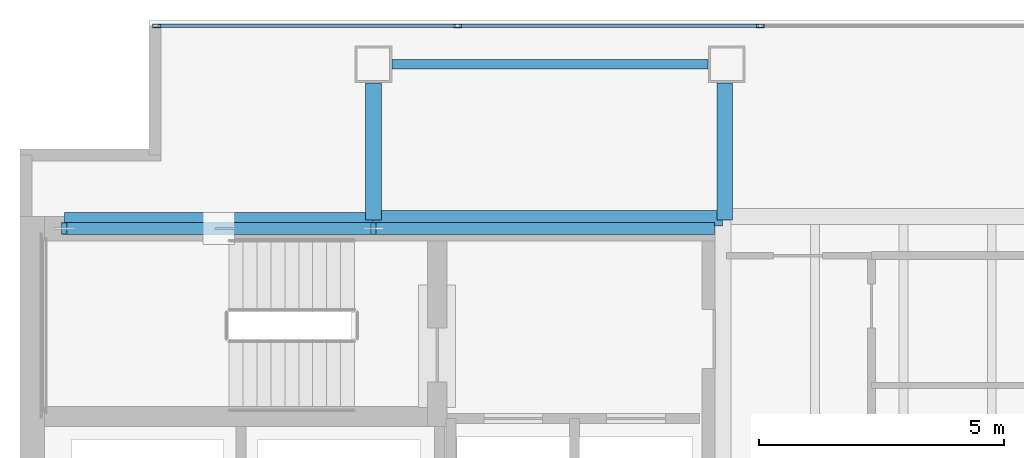
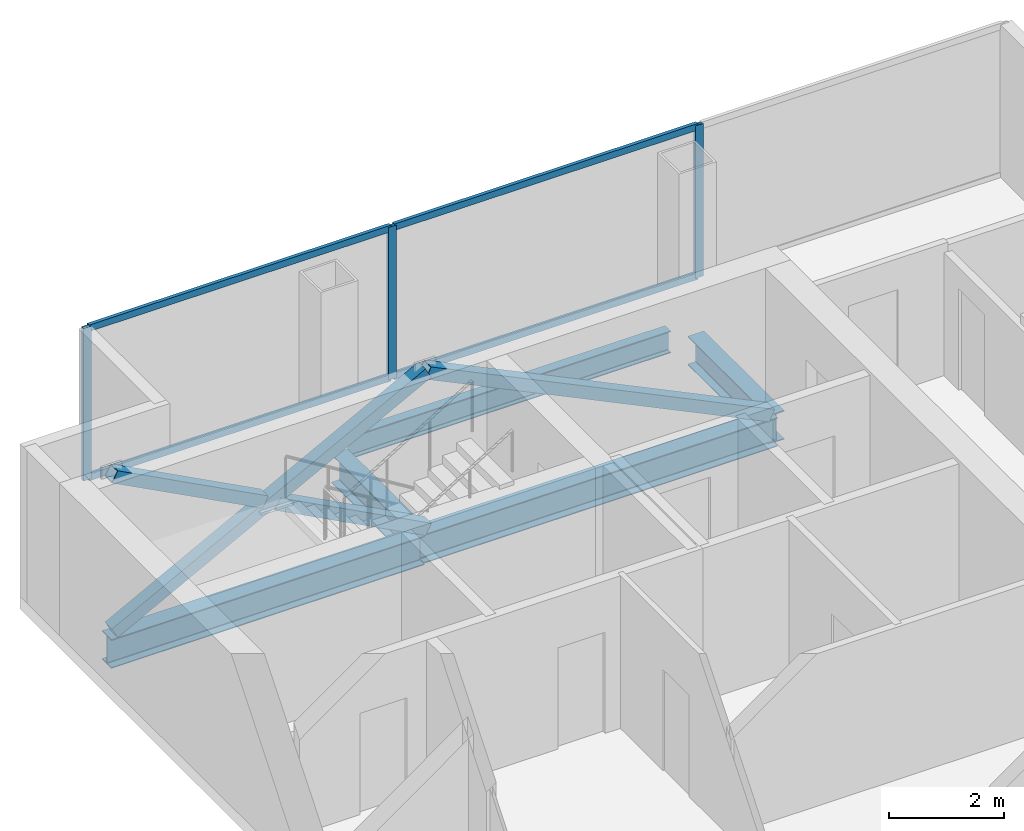
# One storey, part 17 of 23: 11 members, 5 beams, 1 element without a shape of its own.
"""IFC4 building model written with IfcOpenShell, lengths in metres."""

from ifc_helpers import new_model, si_unit, direction, frame, origin, origin_2d, place, context, subcontext, project, spatial, hollow_rectangle, i_section, extrude, material, material_profile, profile_set, type_object, element, aggregate, save


model = new_model("IFC4")

# Units and contexts
model_context = context("Model", 3, precision=1e-05, world=origin(), true_north=direction((0.0, 1.0)))
body_context = subcontext(model_context, "Body", "Model", "MODEL_VIEW")
ifc_project = project(units=[si_unit("LENGTHUNIT", "METRE"), si_unit("AREAUNIT", "SQUARE_METRE"), si_unit("VOLUMEUNIT", "CUBIC_METRE"), si_unit("PLANEANGLEUNIT", "RADIAN"), si_unit("MASSUNIT", "GRAM", prefix="KILO")], contexts=[model_context])

# Site, building, storey
site_placement = place(None, origin())
site = spatial("IfcSite", under=ifc_project, at=site_placement, CompositionType="ELEMENT")
building_placement = place(site_placement, origin())
building = spatial("IfcBuilding", under=site, at=building_placement, Name="Cobrela Telecom Tower", CompositionType="ELEMENT")
storey_placement = place(building_placement, frame((0.0, 0.0, 211.75)))
storey = spatial("IfcBuildingStorey", under=building, at=storey_placement, Name="L54", CompositionType="ELEMENT", Elevation=211.75)

# Beams
ifc_material_1 = material(Name="Steel ASTM A992 Grade 50", Category="steel")
ifc_material_profile_1 = material_profile(ifc_material_1, i_section(OverallWidth=0.324951171875, OverallDepth=0.612060546875, WebThickness=0.0126953125, FlangeThickness=0.01904296875, FilletRadius=0.014892578125, at=origin_2d()), Name="W24X104")
ifc_profile_set_1 = profile_set([ifc_material_profile_1], Name="Steel ASTM A992 Grade 50")
beam_type_1 = type_object("IfcBeamType", Name="BM-GIRD-07", PredefinedType="USERDEFINED", material=ifc_profile_set_1)
beam_1_placement = place(storey_placement, frame((0.905029296875, 35.919921875, -0.56591796875), z_axis=(1.0, 0.0, 0.0), x_axis=(0.0, 1.0, 0.0)))
element("IfcBeam", 1, at=beam_1_placement, inside=storey, type_object=beam_type_1, Name="L54 Primary Girder X20", ObjectType="GIRDER", PredefinedType="USERDEFINED", context=body_context, shape_type="SweptSolid", body=[
    extrude(i_section(OverallWidth=0.324951171875, OverallDepth=0.612060546875, WebThickness=0.0126953125, FlangeThickness=0.01904296875, FilletRadius=0.014892578125, at=origin_2d()), origin(), (0.0, 0.0, 1.0), 6.2900390625),
])
beam_2_placement = place(storey_placement, frame((7.205078125, 35.9599609375, -0.56591796875), z_axis=(1.0, 0.0, 0.0), x_axis=(0.0, 1.0, 0.0)))
element("IfcBeam", 2, at=beam_2_placement, inside=storey, type_object=beam_type_1, Name="L54 Primary Girder X21", ObjectType="GIRDER", PredefinedType="USERDEFINED", context=body_context, shape_type="SweptSolid", body=[
    extrude(i_section(OverallWidth=0.324951171875, OverallDepth=0.612060546875, WebThickness=0.0126953125, FlangeThickness=0.01904296875, FilletRadius=0.014892578125, at=origin_2d()), origin(), (0.0, 0.0, 1.0), 7.10986328125),
])
for number, where, z_axis, x_axis, name in (
    (3, (7.199951171875, 35.925048828125, -0.56591796875), (0.0, 1.0, 0.0), (-1.0, 0.0, 0.0), "L54 Primary Girder Y25"),
    (4, (14.360107421875, 35.925048828125, -0.56591796875), (0.0, 1.0, 0.0), (-1.0, 0.0, 0.0), "L54 Primary Girder Y31"),
):
    element("IfcBeam", number, at=place(storey_placement, frame(where, z_axis=z_axis, x_axis=x_axis)), inside=storey, type_object=beam_type_1, Name=name, ObjectType="GIRDER", PredefinedType="USERDEFINED", context=body_context, shape_type="SweptSolid", body=[
        extrude(i_section(OverallWidth=0.324951171875, OverallDepth=0.612060546875, WebThickness=0.0126953125, FlangeThickness=0.01904296875, FilletRadius=0.014892578125, at=origin_2d()), origin(), (0.0, 0.0, 1.0), 2.794921875),
    ])
ifc_material_profile_2 = material_profile(ifc_material_1, i_section(OverallWidth=0.193115234375, OverallDepth=0.467041015625, WebThickness=0.011474609375, FlangeThickness=0.01904296875, FilletRadius=0.012939453125, at=origin_2d()), Name="W18X65")
ifc_profile_set_2 = profile_set([ifc_material_profile_2], Name="Steel ASTM A992 Grade 50")
beam_type_2 = type_object("IfcBeamType", Name="BM-SPAND-05", PredefinedType="SPANDREL", material=ifc_profile_set_2)
beam_3_placement = place(storey_placement, frame((7.580078125, 39.10009765625, -0.493408203125), z_axis=(1.0, 0.0, 0.0), x_axis=(0.0, 1.0, 0.0)))
element("IfcBeam", 5, at=beam_3_placement, inside=storey, type_object=beam_type_2, Name="L54 Perimeter Spandrel X23", PredefinedType="SPANDREL", context=body_context, shape_type="SweptSolid", body=[
    extrude(i_section(OverallWidth=0.193115234375, OverallDepth=0.467041015625, WebThickness=0.011474609375, FlangeThickness=0.01904296875, FilletRadius=0.012939453125, at=origin_2d()), origin(), (0.0, 0.0, 1.0), 6.43994140625),
])

# Curtain wall, members
ifc_material_2 = material(Name="Anodized Bronze Aluminium 6063-T6", Category="aluminium")
curtain_wall_type = type_object("IfcCurtainWallType", Name="CW-SYS-OFF-LO", PredefinedType="USERDEFINED", material=ifc_material_2)
curtain_wall_placement = place(storey_placement, origin())
curtain_wall = element("IfcCurtainWall", 6, at=curtain_wall_placement, inside=storey, type_object=curtain_wall_type, Name="L54 Unitised Bronze Curtain Wall 07", ObjectType="UNITISED CURTAIN WALL", PredefinedType="USERDEFINED")
ifc_material_profile_3 = material_profile(ifc_material_2, hollow_rectangle(XDim=0.070068359375, YDim=0.159912109375, WallThickness=0.00390625, at=origin_2d()), Name="ALU 70x160x4")
ifc_profile_set_3 = profile_set([ifc_material_profile_3], Name="Anodized Bronze Aluminium 6063-T6")
member_type_1 = type_object("IfcMemberType", Name="CW-SYS-OFF-LO-MUL", PredefinedType="MULLION", material=ifc_profile_set_3)
member_1_placement = place(storey_placement, frame((2.784912109375, 39.8798828125, 0.0), z_axis=(0.0, 0.0, 1.0), x_axis=(0.0, 1.0, 0.0)))
member_1 = element("IfcMember", 7, at=member_1_placement, type_object=member_type_1, Name="CW-OFF-LO mullion 1", PredefinedType="MULLION", context=body_context, shape_type="SweptSolid", body=[
    extrude(hollow_rectangle(XDim=0.070068359375, YDim=0.159912109375, WallThickness=0.00390625, at=origin_2d()), origin(), (0.0, 0.0, 1.0), 3.239990234375),
])
member_2_placement = place(storey_placement, frame((8.916748046875, 39.8798828125, 0.0), z_axis=(0.0, 0.0, 1.0), x_axis=(0.0, 1.0, 0.0)))
member_2 = element("IfcMember", 8, at=member_2_placement, type_object=member_type_1, Name="CW-OFF-LO mullion 2", PredefinedType="MULLION", context=body_context, shape_type="SweptSolid", body=[
    extrude(hollow_rectangle(XDim=0.070068359375, YDim=0.159912109375, WallThickness=0.00390625, at=origin_2d()), origin(), (0.0, 0.0, 1.0), 3.239990234375),
])
member_3_placement = place(storey_placement, frame((15.083251953125, 39.8798828125, 0.0), z_axis=(0.0, 0.0, 1.0), x_axis=(0.0, 1.0, 0.0)))
member_3 = element("IfcMember", 9, at=member_3_placement, type_object=member_type_1, Name="CW-OFF-LO mullion 3", PredefinedType="MULLION", context=body_context, shape_type="SweptSolid", body=[
    extrude(hollow_rectangle(XDim=0.070068359375, YDim=0.159912109375, WallThickness=0.00390625, at=origin_2d()), origin(), (0.0, 0.0, 1.0), 3.239990234375),
])
ifc_material_profile_4 = material_profile(ifc_material_2, hollow_rectangle(XDim=0.070068359375, YDim=0.139892578125, WallThickness=0.00390625, at=origin_2d()), Name="ALU 70x140x4")
ifc_profile_set_4 = profile_set([ifc_material_profile_4], Name="Anodized Bronze Aluminium 6063-T6")
member_type_2 = type_object("IfcMemberType", Name="CW-SYS-OFF-LO-TRN", PredefinedType="USERDEFINED", material=ifc_profile_set_4)
member_4_placement = place(storey_placement, frame((2.820068359375, 39.8798828125, 0.034912109375), z_axis=(1.0, 0.0, 0.0), x_axis=(0.0, 1.0, 0.0)))
member_4 = element("IfcMember", 10, at=member_4_placement, type_object=member_type_2, Name="CW-OFF-LO transom 1.1", ObjectType="TRANSOM", PredefinedType="USERDEFINED", context=body_context, shape_type="SweptSolid", body=[
    extrude(hollow_rectangle(XDim=0.070068359375, YDim=0.139892578125, WallThickness=0.00390625, at=origin_2d()), origin(), (0.0, 0.0, 1.0), 6.0615234375),
])
member_5_placement = place(storey_placement, frame((2.820068359375, 39.8798828125, 3.205078125), z_axis=(1.0, 0.0, 0.0), x_axis=(0.0, 1.0, 0.0)))
member_5 = element("IfcMember", 11, at=member_5_placement, type_object=member_type_2, Name="CW-OFF-LO transom 1.2", ObjectType="TRANSOM", PredefinedType="USERDEFINED", context=body_context, shape_type="SweptSolid", body=[
    extrude(hollow_rectangle(XDim=0.070068359375, YDim=0.139892578125, WallThickness=0.00390625, at=origin_2d()), origin(), (0.0, 0.0, 1.0), 6.0615234375),
])
member_6_placement = place(storey_placement, frame((8.95166015625, 39.8798828125, 0.034912109375), z_axis=(1.0, 0.0, 0.0), x_axis=(0.0, 1.0, 0.0)))
member_6 = element("IfcMember", 12, at=member_6_placement, type_object=member_type_2, Name="CW-OFF-LO transom 2.1", ObjectType="TRANSOM", PredefinedType="USERDEFINED", context=body_context, shape_type="SweptSolid", body=[
    extrude(hollow_rectangle(XDim=0.070068359375, YDim=0.139892578125, WallThickness=0.00390625, at=origin_2d()), origin(), (0.0, 0.0, 1.0), 6.0966796875),
])
member_7_placement = place(storey_placement, frame((8.95166015625, 39.8798828125, 3.205078125), z_axis=(1.0, 0.0, 0.0), x_axis=(0.0, 1.0, 0.0)))
member_7 = element("IfcMember", 13, at=member_7_placement, type_object=member_type_2, Name="CW-OFF-LO transom 2.2", ObjectType="TRANSOM", PredefinedType="USERDEFINED", context=body_context, shape_type="SweptSolid", body=[
    extrude(hollow_rectangle(XDim=0.070068359375, YDim=0.139892578125, WallThickness=0.00390625, at=origin_2d()), origin(), (0.0, 0.0, 1.0), 6.0966796875),
])
aggregate(curtain_wall, [member_1, member_2, member_3, member_4, member_5, member_6, member_7])

# Members
ifc_material_3 = material(Name="Steel ASTM A572 Grade 50", Category="steel")
ifc_material_profile_5 = material_profile(ifc_material_3, hollow_rectangle(XDim=0.25, YDim=0.25, WallThickness=0.013916015625, at=origin_2d()), Name="HSS 250x250x14")
ifc_profile_set_5 = profile_set([ifc_material_profile_5], Name="Steel ASTM A572 Grade 50")
member_type_3 = type_object("IfcMemberType", Name="MBR-EXO-04", PredefinedType="BRACE", material=ifc_profile_set_5)
member_8_placement = place(storey_placement, frame((0.89990234375, 35.75, -0.0400390625), z_axis=(0.884671945606, 0.0, 0.466214058837), x_axis=(0.0, 1.0, 0.0)))
element("IfcMember", 14, at=member_8_placement, inside=storey, type_object=member_type_3, Name="L54 Core Flange Steel X-Brace Continuous A", PredefinedType="BRACE", context=body_context, shape_type="SweptSolid", body=[
    extrude(hollow_rectangle(XDim=0.25, YDim=0.25, WallThickness=0.013916015625, at=origin_2d()), origin(), (0.0, 0.0, 1.0), 7.121337890625),
])
for number, where, z_axis, x_axis, name in (
    (15, (7.199951171875, 35.75, -0.0400390625), (-0.884673479945, 0.0, 0.466211147317), (0.0, -1.0, 0.0), "L54 Core Flange Steel X-Brace Split B1"),
    (16, (3.926025390625, 35.75, 1.685302734375), (-0.884673479945, 0.0, 0.466211147317), (0.0, -1.0, 0.0), "L54 Core Flange Steel X-Brace Split B2"),
):
    element("IfcMember", number, at=place(storey_placement, frame(where, z_axis=z_axis, x_axis=x_axis)), inside=storey, type_object=member_type_3, Name=name, PredefinedType="BRACE", context=body_context, shape_type="SweptSolid", body=[
        extrude(hollow_rectangle(XDim=0.25, YDim=0.25, WallThickness=0.013916015625, at=origin_2d()), origin(), (0.0, 0.0, 1.0), 3.420654296875),
    ])
member_9_placement = place(storey_placement, frame((14.10009765625, 35.75, -0.0400390625), z_axis=(-0.901115182893, 0.0, 0.43357978177), x_axis=(0.0, -1.0, 0.0)))
element("IfcMember", 17, at=member_9_placement, inside=storey, type_object=member_type_3, Name="L54 Core Flange Steel Brace N2", PredefinedType="BRACE", context=body_context, shape_type="SweptSolid", body=[
    extrude(hollow_rectangle(XDim=0.25, YDim=0.25, WallThickness=0.013916015625, at=origin_2d()), origin(), (0.0, 0.0, 1.0), 7.6572265625),
])

save(model, "model.ifc")
